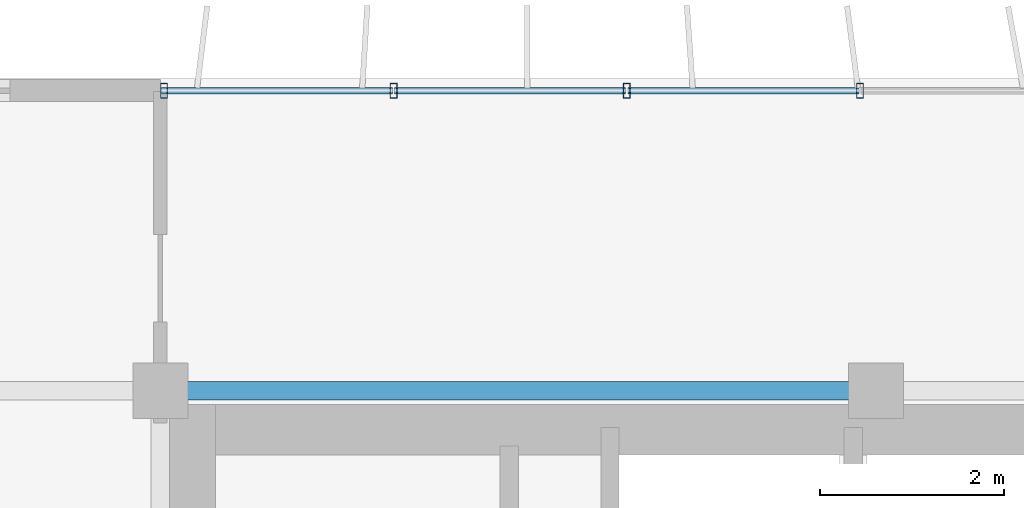
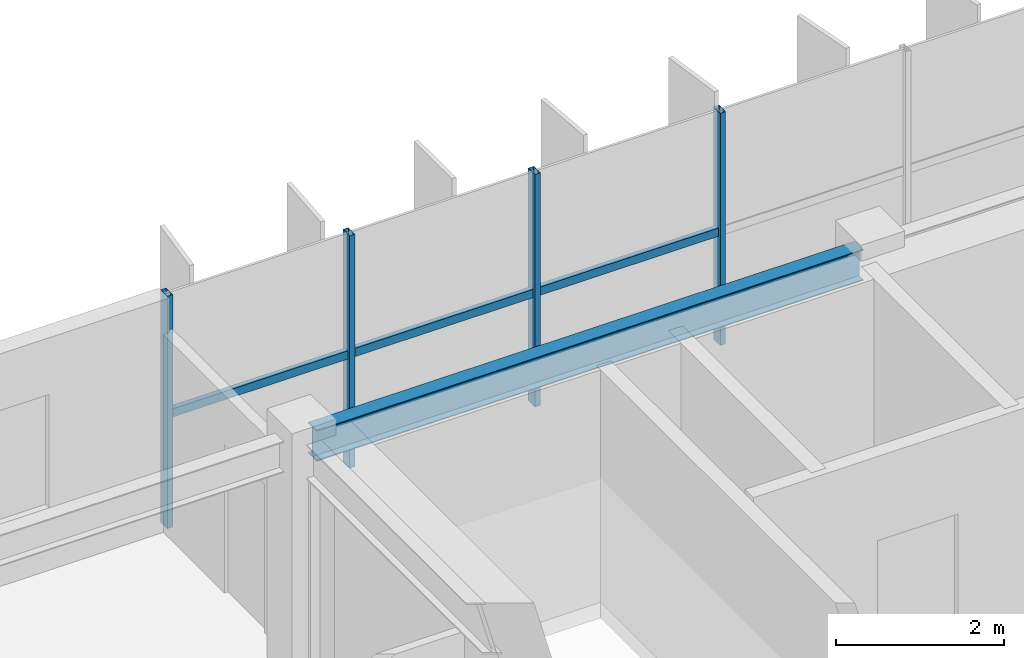
# One storey, part 6 of 22: 7 members, 1 beam, 1 element without a shape of its own.
"""IFC4 building model written with IfcOpenShell, lengths in metres."""

from ifc_helpers import new_model, si_unit, direction, frame, origin, origin_2d, place, context, subcontext, project, spatial, hollow_rectangle, i_section, extrude, source, transform, mapped, material, material_profile, profile_set, type_object, element, aggregate, save


model = new_model("IFC4")

# Units and contexts
model_context = context("Model", 3, precision=1e-05, world=origin(), true_north=direction((0.0, 1.0)))
body_context = subcontext(model_context, "Body", "Model", "MODEL_VIEW")
ifc_project = project(units=[si_unit("LENGTHUNIT", "METRE"), si_unit("AREAUNIT", "SQUARE_METRE"), si_unit("VOLUMEUNIT", "CUBIC_METRE"), si_unit("PLANEANGLEUNIT", "RADIAN"), si_unit("MASSUNIT", "GRAM", prefix="KILO")], contexts=[model_context])

# Site, building, storey
site_placement = place(None, origin())
site = spatial("IfcSite", under=ifc_project, at=site_placement, CompositionType="ELEMENT")
building_placement = place(site_placement, origin())
building = spatial("IfcBuilding", under=site, at=building_placement, Name="Trelvane Seafront Commons", CompositionType="ELEMENT")
storey_placement = place(building_placement, frame((0.0, 0.0, 284.699951171875)))
storey = spatial("IfcBuildingStorey", under=building, at=storey_placement, Name="L74", CompositionType="ELEMENT", Elevation=284.699951171875)

# Beam
ifc_material_1 = material(Name="Steel SM355 (S355)", Category="steel")
ifc_material_profile_1 = material_profile(ifc_material_1, i_section(OverallWidth=0.199951171875, OverallDepth=0.449951171875, WebThickness=0.009033203125, FlangeThickness=0.013916015625, at=origin_2d()), Name="H-450x200x9x14")
ifc_profile_set_1 = profile_set([ifc_material_profile_1], Name="Steel SM355 (S355)")
beam_type = type_object("IfcBeamType", Name="STR-SPD-H450", PredefinedType="SPANDREL", material=ifc_profile_set_1)
shared_shape_1 = source(origin(), body_context, "Body", "SweptSolid", [
    extrude(i_section(OverallWidth=0.199951171875, OverallDepth=0.449951171875, WebThickness=0.009033203125, FlangeThickness=0.013916015625, at=origin_2d()), origin(), (0.0, 0.0, 1.0), 7.5),
])
beam_placement = place(storey_placement, frame((15.75, 45.10009765625, 3.14501953125), z_axis=(1.0, 0.0, 0.0), x_axis=(0.0, 1.0, 0.0)))
element("IfcBeam", 1, at=beam_placement, inside=storey, type_object=beam_type, Name="L74 Primary Girder G-23", PredefinedType="SPANDREL", context=body_context, shape_type="MappedRepresentation", body=[
    mapped(shared_shape_1, transform((0.0, 0.0, 0.0), x_axis=(1.0, 0.0, 0.0), y_axis=(0.0, 1.0, 0.0), z_axis=(0.0, 0.0, 1.0), scale=1.0)),
])

# Curtain wall, members
ifc_material_2 = material(Name="Anodised pale-silver aluminium", Category="aluminium")
curtain_wall_type = type_object("IfcCurtainWallType", Name="ARCH-CW5-UPTOWER", PredefinedType="NOTDEFINED", material=ifc_material_2)
curtain_wall_placement = place(storey_placement, origin())
curtain_wall = element("IfcCurtainWall", 2, at=curtain_wall_placement, inside=storey, type_object=curtain_wall_type, Name="CW-L74-0118", PredefinedType="NOTDEFINED")
ifc_material_profile_2 = material_profile(ifc_material_2, hollow_rectangle(XDim=0.070068359375, YDim=0.1201171875, WallThickness=0.00390625, at=origin_2d()), Name="TRAN-70x120x4")
ifc_profile_set_2 = profile_set([ifc_material_profile_2], Name="Anodised pale-silver aluminium")
member_type_1 = type_object("IfcMemberType", Name="ARCH-CW-TRAN-120", PredefinedType="USERDEFINED", material=ifc_profile_set_2)
shared_shape_2 = source(origin(), body_context, "Body", "SweptSolid", [
    extrude(hollow_rectangle(XDim=0.070068359375, YDim=0.1201171875, WallThickness=0.00390625, at=origin_2d()), origin(), (0.0, 0.0, 1.0), 2.51708984375),
])
member_1_placement = place(storey_placement, frame((15.612060546875, 48.3701171875, 1.6181640625), z_axis=(1.0, 0.0, 0.0), x_axis=(0.0, 1.0, 0.0)))
member_1 = element("IfcMember", 3, at=member_1_placement, type_object=member_type_1, Name="CW-L74-0118-T00", ObjectType="TRANSOM", PredefinedType="USERDEFINED", context=body_context, shape_type="MappedRepresentation", body=[
    mapped(shared_shape_2, transform((0.0, 0.0, 0.0), x_axis=(1.0, 0.0, 0.0), y_axis=(0.0, 1.0, 0.0), z_axis=(0.0, 0.0, 1.0), scale=1.0)),
])
member_2_placement = place(storey_placement, frame((18.1533203125, 48.3701171875, 1.6181640625), z_axis=(1.0, 0.0, 0.0), x_axis=(0.0, 1.0, 0.0)))
member_2 = element("IfcMember", 4, at=member_2_placement, type_object=member_type_1, Name="CW-L74-0118-T01", ObjectType="TRANSOM", PredefinedType="USERDEFINED", context=body_context, shape_type="MappedRepresentation", body=[
    mapped(shared_shape_2, transform((0.0, 0.0, 0.0), x_axis=(1.0, 0.0, 0.0), y_axis=(0.0, 1.0, 0.0), z_axis=(0.0, 0.0, 1.0), scale=1.0)),
])
member_3_placement = place(storey_placement, frame((20.6943359375, 48.3701171875, 1.6181640625), z_axis=(1.0, 0.0, 0.0), x_axis=(0.0, 1.0, 0.0)))
member_3 = element("IfcMember", 5, at=member_3_placement, type_object=member_type_1, Name="CW-L74-0118-T02", ObjectType="TRANSOM", PredefinedType="USERDEFINED", context=body_context, shape_type="MappedRepresentation", body=[
    mapped(shared_shape_2, transform((0.0, 0.0, 0.0), x_axis=(1.0, 0.0, 0.0), y_axis=(0.0, 1.0, 0.0), z_axis=(0.0, 0.0, 1.0), scale=1.0)),
])
ifc_material_profile_3 = material_profile(ifc_material_2, hollow_rectangle(XDim=0.074951171875, YDim=0.159912109375, WallThickness=0.00390625, at=origin_2d()), Name="MULL-75x160x4")
ifc_profile_set_3 = profile_set([ifc_material_profile_3], Name="Anodised pale-silver aluminium")
member_type_2 = type_object("IfcMemberType", Name="ARCH-CW-MULL-160", PredefinedType="MULLION", material=ifc_profile_set_3)
shared_shape_3 = source(origin(), body_context, "Body", "SweptSolid", [
    extrude(hollow_rectangle(XDim=0.074951171875, YDim=0.159912109375, WallThickness=0.00390625, at=origin_2d()), origin(), (0.0, 0.0, 1.0), 3.3701171875),
])
member_4_placement = place(storey_placement, frame((15.639892578125, 48.3701171875, 0.0), z_axis=(0.0, 0.0, 1.0), x_axis=(1.0, 0.0, 0.0)))
member_4 = element("IfcMember", 6, at=member_4_placement, type_object=member_type_2, Name="CW-L74-0118-M00", PredefinedType="MULLION", context=body_context, shape_type="MappedRepresentation", body=[
    mapped(shared_shape_3, transform((0.0, 0.0, 0.0), x_axis=(1.0, 0.0, 0.0), y_axis=(0.0, 1.0, 0.0), z_axis=(0.0, 0.0, 1.0), scale=1.0)),
])
member_5_placement = place(storey_placement, frame((18.14111328125, 48.3701171875, 0.0), z_axis=(0.0, 0.0, 1.0), x_axis=(1.0, 0.0, 0.0)))
member_5 = element("IfcMember", 7, at=member_5_placement, type_object=member_type_2, Name="CW-L74-0118-M01", PredefinedType="MULLION", context=body_context, shape_type="MappedRepresentation", body=[
    mapped(shared_shape_3, transform((0.0, 0.0, 0.0), x_axis=(1.0, 0.0, 0.0), y_axis=(0.0, 1.0, 0.0), z_axis=(0.0, 0.0, 1.0), scale=1.0)),
])
member_6_placement = place(storey_placement, frame((20.682373046875, 48.3701171875, 0.0), z_axis=(0.0, 0.0, 1.0), x_axis=(1.0, 0.0, 0.0)))
member_6 = element("IfcMember", 8, at=member_6_placement, type_object=member_type_2, Name="CW-L74-0118-M02", PredefinedType="MULLION", context=body_context, shape_type="MappedRepresentation", body=[
    mapped(shared_shape_3, transform((0.0, 0.0, 0.0), x_axis=(1.0, 0.0, 0.0), y_axis=(0.0, 1.0, 0.0), z_axis=(0.0, 0.0, 1.0), scale=1.0)),
])
member_7_placement = place(storey_placement, frame((23.223388671875, 48.3701171875, 0.0), z_axis=(0.0, 0.0, 1.0), x_axis=(1.0, 0.0, 0.0)))
member_7 = element("IfcMember", 9, at=member_7_placement, type_object=member_type_2, Name="CW-L74-0118-M03", PredefinedType="MULLION", context=body_context, shape_type="MappedRepresentation", body=[
    mapped(shared_shape_3, transform((0.0, 0.0, 0.0), x_axis=(1.0, 0.0, 0.0), y_axis=(0.0, 1.0, 0.0), z_axis=(0.0, 0.0, 1.0), scale=1.0)),
])
aggregate(curtain_wall, [member_4, member_5, member_6, member_7, member_1, member_2, member_3])

save(model, "model.ifc")
